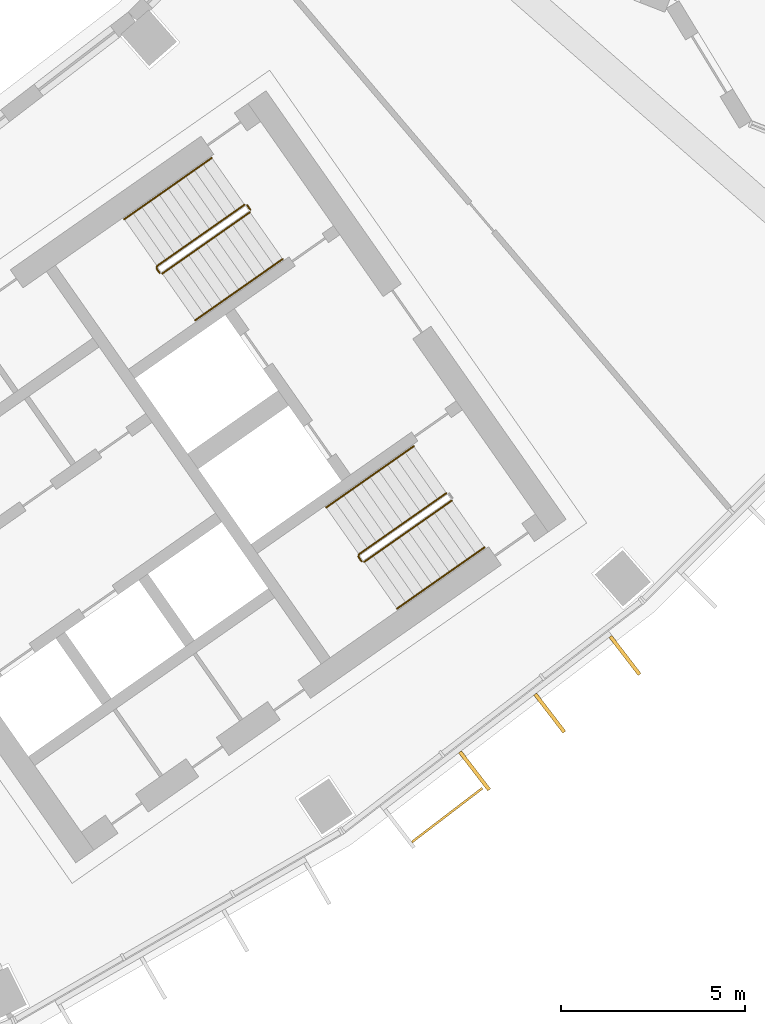
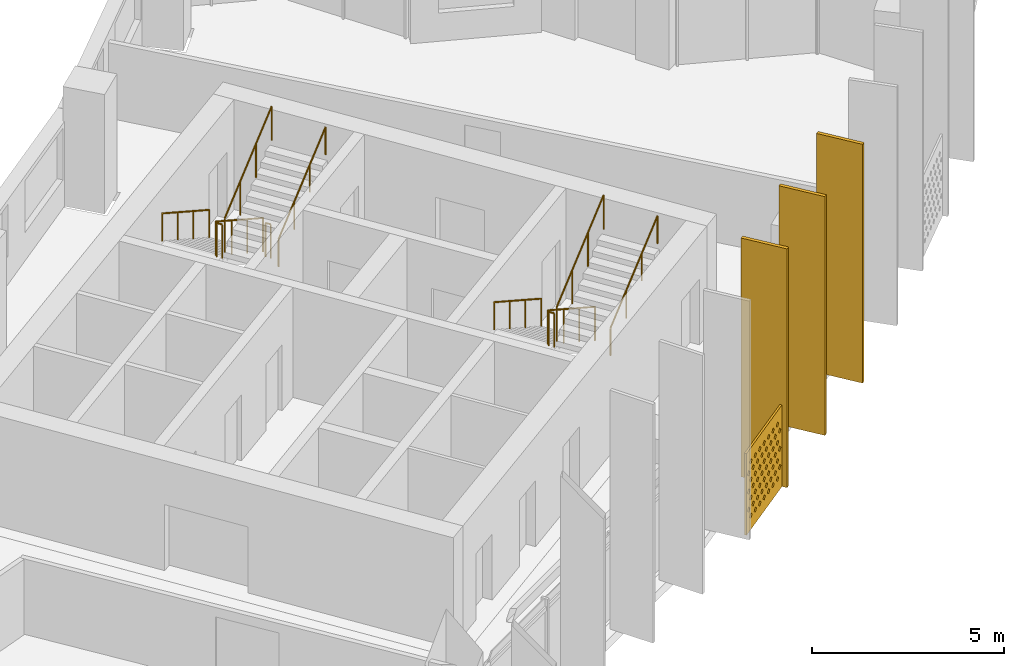
# One storey, part 27 of 30: 9 railings, 4 shading devices.
"""IFC4 building model written with IfcOpenShell, lengths in metres."""

from ifc_helpers import new_model, si_unit, direction, frame, origin, origin_2d, place, context, subcontext, project, spatial, polyline, rectangle, circle, outline, extrude, material, material_profile, profile_set, type_object, element, save


model = new_model("IFC4")

# Units and contexts
model_context = context("Model", 3, precision=1e-05, world=origin(), true_north=direction((0.0, 1.0)))
body_context = subcontext(model_context, "Body", "Model", "MODEL_VIEW")
ifc_project = project(units=[si_unit("LENGTHUNIT", "METRE"), si_unit("AREAUNIT", "SQUARE_METRE"), si_unit("VOLUMEUNIT", "CUBIC_METRE"), si_unit("PLANEANGLEUNIT", "RADIAN"), si_unit("MASSUNIT", "GRAM", prefix="KILO")], contexts=[model_context])

# Site, building, storey
site_placement = place(None, origin())
site = spatial("IfcSite", under=ifc_project, at=site_placement, CompositionType="ELEMENT")
building_placement = place(site_placement, origin())
building = spatial("IfcBuilding", under=site, at=building_placement, Name="Qamariyya Broadcast Tower", CompositionType="ELEMENT")
storey_placement = place(building_placement, frame((0.0, 0.0, 203.699951171875)))
storey = spatial("IfcBuildingStorey", under=building, at=storey_placement, Name="L48", CompositionType="ELEMENT", Elevation=203.699951171875)

# Shading device
ifc_material_1 = material(Name="Perforated glazed terracotta", Category="masonry")
ifc_material_profile_1 = material_profile(ifc_material_1, outline(polyline([(-1.199951171875, -1.300048828125), (1.199951171875, -1.300048828125), (1.199951171875, 1.300048828125), (-1.199951171875, 1.300048828125), (-1.199951171875, -1.300048828125)]), holes=[polyline([(-0.81494140625, -0.86669921875), (-0.89990234375, -0.78173828125), (-0.985107421875, -0.86669921875), (-0.89990234375, -0.95166015625), (-0.81494140625, -0.86669921875)]), polyline([(-0.514892578125, -0.86669921875), (-0.60009765625, -0.78173828125), (-0.68505859375, -0.86669921875), (-0.60009765625, -0.95166015625), (-0.514892578125, -0.86669921875)]), polyline([(-0.215087890625, -0.86669921875), (-0.300048828125, -0.78173828125), (-0.385009765625, -0.86669921875), (-0.300048828125, -0.95166015625), (-0.215087890625, -0.86669921875)]), polyline([(0.0849609375, -0.86669921875), (0.0, -0.78173828125), (-0.0849609375, -0.86669921875), (0.0, -0.95166015625), (0.0849609375, -0.86669921875)]), polyline([(0.385009765625, -0.86669921875), (0.300048828125, -0.78173828125), (0.215087890625, -0.86669921875), (0.300048828125, -0.95166015625), (0.385009765625, -0.86669921875)]), polyline([(0.68505859375, -0.86669921875), (0.60009765625, -0.78173828125), (0.514892578125, -0.86669921875), (0.60009765625, -0.95166015625), (0.68505859375, -0.86669921875)]), polyline([(0.985107421875, -0.86669921875), (0.89990234375, -0.78173828125), (0.81494140625, -0.86669921875), (0.89990234375, -0.95166015625), (0.985107421875, -0.86669921875)]), polyline([(-0.965087890625, -0.577880859375), (-1.050048828125, -0.49267578125), (-1.135009765625, -0.577880859375), (-1.050048828125, -0.662841796875), (-0.965087890625, -0.577880859375)]), polyline([(-0.6650390625, -0.577880859375), (-0.75, -0.49267578125), (-0.8349609375, -0.577880859375), (-0.75, -0.662841796875), (-0.6650390625, -0.577880859375)]), polyline([(-0.364990234375, -0.577880859375), (-0.449951171875, -0.49267578125), (-0.534912109375, -0.577880859375), (-0.449951171875, -0.662841796875), (-0.364990234375, -0.577880859375)]), polyline([(-0.06494140625, -0.577880859375), (-0.14990234375, -0.49267578125), (-0.235107421875, -0.577880859375), (-0.14990234375, -0.662841796875), (-0.06494140625, -0.577880859375)]), polyline([(0.235107421875, -0.577880859375), (0.14990234375, -0.49267578125), (0.06494140625, -0.577880859375), (0.14990234375, -0.662841796875), (0.235107421875, -0.577880859375)]), polyline([(0.534912109375, -0.577880859375), (0.449951171875, -0.49267578125), (0.364990234375, -0.577880859375), (0.449951171875, -0.662841796875), (0.534912109375, -0.577880859375)]), polyline([(0.8349609375, -0.577880859375), (0.75, -0.49267578125), (0.6650390625, -0.577880859375), (0.75, -0.662841796875), (0.8349609375, -0.577880859375)]), polyline([(1.135009765625, -0.577880859375), (1.050048828125, -0.49267578125), (0.965087890625, -0.577880859375), (1.050048828125, -0.662841796875), (1.135009765625, -0.577880859375)]), polyline([(-0.81494140625, -0.288818359375), (-0.89990234375, -0.203857421875), (-0.985107421875, -0.288818359375), (-0.89990234375, -0.373779296875), (-0.81494140625, -0.288818359375)]), polyline([(-0.514892578125, -0.288818359375), (-0.60009765625, -0.203857421875), (-0.68505859375, -0.288818359375), (-0.60009765625, -0.373779296875), (-0.514892578125, -0.288818359375)]), polyline([(-0.215087890625, -0.288818359375), (-0.300048828125, -0.203857421875), (-0.385009765625, -0.288818359375), (-0.300048828125, -0.373779296875), (-0.215087890625, -0.288818359375)]), polyline([(0.0849609375, -0.288818359375), (0.0, -0.203857421875), (-0.0849609375, -0.288818359375), (0.0, -0.373779296875), (0.0849609375, -0.288818359375)]), polyline([(0.385009765625, -0.288818359375), (0.300048828125, -0.203857421875), (0.215087890625, -0.288818359375), (0.300048828125, -0.373779296875), (0.385009765625, -0.288818359375)]), polyline([(0.68505859375, -0.288818359375), (0.60009765625, -0.203857421875), (0.514892578125, -0.288818359375), (0.60009765625, -0.373779296875), (0.68505859375, -0.288818359375)]), polyline([(0.985107421875, -0.288818359375), (0.89990234375, -0.203857421875), (0.81494140625, -0.288818359375), (0.89990234375, -0.373779296875), (0.985107421875, -0.288818359375)]), polyline([(-0.965087890625, 0.0), (-1.050048828125, 0.0849609375), (-1.135009765625, 0.0), (-1.050048828125, -0.0849609375), (-0.965087890625, 0.0)]), polyline([(-0.6650390625, 0.0), (-0.75, 0.0849609375), (-0.8349609375, 0.0), (-0.75, -0.0849609375), (-0.6650390625, 0.0)]), polyline([(-0.364990234375, 0.0), (-0.449951171875, 0.0849609375), (-0.534912109375, 0.0), (-0.449951171875, -0.0849609375), (-0.364990234375, 0.0)]), polyline([(-0.06494140625, 0.0), (-0.14990234375, 0.0849609375), (-0.235107421875, 0.0), (-0.14990234375, -0.0849609375), (-0.06494140625, 0.0)]), polyline([(0.235107421875, 0.0), (0.14990234375, 0.0849609375), (0.06494140625, 0.0), (0.14990234375, -0.0849609375), (0.235107421875, 0.0)]), polyline([(0.534912109375, 0.0), (0.449951171875, 0.0849609375), (0.364990234375, 0.0), (0.449951171875, -0.0849609375), (0.534912109375, 0.0)]), polyline([(0.8349609375, 0.0), (0.75, 0.0849609375), (0.6650390625, 0.0), (0.75, -0.0849609375), (0.8349609375, 0.0)]), polyline([(1.135009765625, 0.0), (1.050048828125, 0.0849609375), (0.965087890625, 0.0), (1.050048828125, -0.0849609375), (1.135009765625, 0.0)]), polyline([(-0.81494140625, 0.288818359375), (-0.89990234375, 0.373779296875), (-0.985107421875, 0.288818359375), (-0.89990234375, 0.203857421875), (-0.81494140625, 0.288818359375)]), polyline([(-0.514892578125, 0.288818359375), (-0.60009765625, 0.373779296875), (-0.68505859375, 0.288818359375), (-0.60009765625, 0.203857421875), (-0.514892578125, 0.288818359375)]), polyline([(-0.215087890625, 0.288818359375), (-0.300048828125, 0.373779296875), (-0.385009765625, 0.288818359375), (-0.300048828125, 0.203857421875), (-0.215087890625, 0.288818359375)]), polyline([(0.0849609375, 0.288818359375), (0.0, 0.373779296875), (-0.0849609375, 0.288818359375), (0.0, 0.203857421875), (0.0849609375, 0.288818359375)]), polyline([(0.385009765625, 0.288818359375), (0.300048828125, 0.373779296875), (0.215087890625, 0.288818359375), (0.300048828125, 0.203857421875), (0.385009765625, 0.288818359375)]), polyline([(0.68505859375, 0.288818359375), (0.60009765625, 0.373779296875), (0.514892578125, 0.288818359375), (0.60009765625, 0.203857421875), (0.68505859375, 0.288818359375)]), polyline([(0.985107421875, 0.288818359375), (0.89990234375, 0.373779296875), (0.81494140625, 0.288818359375), (0.89990234375, 0.203857421875), (0.985107421875, 0.288818359375)]), polyline([(-0.965087890625, 0.577880859375), (-1.050048828125, 0.662841796875), (-1.135009765625, 0.577880859375), (-1.050048828125, 0.49267578125), (-0.965087890625, 0.577880859375)]), polyline([(-0.6650390625, 0.577880859375), (-0.75, 0.662841796875), (-0.8349609375, 0.577880859375), (-0.75, 0.49267578125), (-0.6650390625, 0.577880859375)]), polyline([(-0.364990234375, 0.577880859375), (-0.449951171875, 0.662841796875), (-0.534912109375, 0.577880859375), (-0.449951171875, 0.49267578125), (-0.364990234375, 0.577880859375)]), polyline([(-0.06494140625, 0.577880859375), (-0.14990234375, 0.662841796875), (-0.235107421875, 0.577880859375), (-0.14990234375, 0.49267578125), (-0.06494140625, 0.577880859375)]), polyline([(0.235107421875, 0.577880859375), (0.14990234375, 0.662841796875), (0.06494140625, 0.577880859375), (0.14990234375, 0.49267578125), (0.235107421875, 0.577880859375)]), polyline([(0.534912109375, 0.577880859375), (0.449951171875, 0.662841796875), (0.364990234375, 0.577880859375), (0.449951171875, 0.49267578125), (0.534912109375, 0.577880859375)]), polyline([(0.8349609375, 0.577880859375), (0.75, 0.662841796875), (0.6650390625, 0.577880859375), (0.75, 0.49267578125), (0.8349609375, 0.577880859375)]), polyline([(1.135009765625, 0.577880859375), (1.050048828125, 0.662841796875), (0.965087890625, 0.577880859375), (1.050048828125, 0.49267578125), (1.135009765625, 0.577880859375)]), polyline([(-0.81494140625, 0.86669921875), (-0.89990234375, 0.95166015625), (-0.985107421875, 0.86669921875), (-0.89990234375, 0.78173828125), (-0.81494140625, 0.86669921875)]), polyline([(-0.514892578125, 0.86669921875), (-0.60009765625, 0.95166015625), (-0.68505859375, 0.86669921875), (-0.60009765625, 0.78173828125), (-0.514892578125, 0.86669921875)]), polyline([(-0.215087890625, 0.86669921875), (-0.300048828125, 0.95166015625), (-0.385009765625, 0.86669921875), (-0.300048828125, 0.78173828125), (-0.215087890625, 0.86669921875)]), polyline([(0.0849609375, 0.86669921875), (0.0, 0.95166015625), (-0.0849609375, 0.86669921875), (0.0, 0.78173828125), (0.0849609375, 0.86669921875)]), polyline([(0.385009765625, 0.86669921875), (0.300048828125, 0.95166015625), (0.215087890625, 0.86669921875), (0.300048828125, 0.78173828125), (0.385009765625, 0.86669921875)]), polyline([(0.68505859375, 0.86669921875), (0.60009765625, 0.95166015625), (0.514892578125, 0.86669921875), (0.60009765625, 0.78173828125), (0.68505859375, 0.86669921875)]), polyline([(0.985107421875, 0.86669921875), (0.89990234375, 0.95166015625), (0.81494140625, 0.86669921875), (0.89990234375, 0.78173828125), (0.985107421875, 0.86669921875)])]))
ifc_profile_set_1 = profile_set([ifc_material_profile_1], Name="Perforated glazed terracotta")
shading_device_type_1 = type_object("IfcShadingDeviceType", Name="Perforated terracotta screen 2400 x 2600", PredefinedType="USERDEFINED", material=ifc_profile_set_1)
shading_device_placement = place(storey_placement, frame((46.480712890625, -64.85888671875, 1.35009765625), z_axis=(0.607147566278, -0.794589096806, 0.0), x_axis=(0.794589096806, 0.607147566278, 0.0)))
element("IfcShadingDevice", 1, at=shading_device_placement, inside=storey, type_object=shading_device_type_1, Name="e-scr-L48-13-0", ObjectType="SCREEN", PredefinedType="USERDEFINED", context=body_context, shape_type="SweptSolid", body=[
    extrude(outline(polyline([(-1.199951171875, -1.300048828125), (1.199951171875, -1.300048828125), (1.199951171875, 1.300048828125), (-1.199951171875, 1.300048828125), (-1.199951171875, -1.300048828125)]), holes=[polyline([(-0.81494140625, -0.86669921875), (-0.89990234375, -0.78173828125), (-0.985107421875, -0.86669921875), (-0.89990234375, -0.95166015625), (-0.81494140625, -0.86669921875)]), polyline([(-0.514892578125, -0.86669921875), (-0.60009765625, -0.78173828125), (-0.68505859375, -0.86669921875), (-0.60009765625, -0.95166015625), (-0.514892578125, -0.86669921875)]), polyline([(-0.215087890625, -0.86669921875), (-0.300048828125, -0.78173828125), (-0.385009765625, -0.86669921875), (-0.300048828125, -0.95166015625), (-0.215087890625, -0.86669921875)]), polyline([(0.0849609375, -0.86669921875), (0.0, -0.78173828125), (-0.0849609375, -0.86669921875), (0.0, -0.95166015625), (0.0849609375, -0.86669921875)]), polyline([(0.385009765625, -0.86669921875), (0.300048828125, -0.78173828125), (0.215087890625, -0.86669921875), (0.300048828125, -0.95166015625), (0.385009765625, -0.86669921875)]), polyline([(0.68505859375, -0.86669921875), (0.60009765625, -0.78173828125), (0.514892578125, -0.86669921875), (0.60009765625, -0.95166015625), (0.68505859375, -0.86669921875)]), polyline([(0.985107421875, -0.86669921875), (0.89990234375, -0.78173828125), (0.81494140625, -0.86669921875), (0.89990234375, -0.95166015625), (0.985107421875, -0.86669921875)]), polyline([(-0.965087890625, -0.577880859375), (-1.050048828125, -0.49267578125), (-1.135009765625, -0.577880859375), (-1.050048828125, -0.662841796875), (-0.965087890625, -0.577880859375)]), polyline([(-0.6650390625, -0.577880859375), (-0.75, -0.49267578125), (-0.8349609375, -0.577880859375), (-0.75, -0.662841796875), (-0.6650390625, -0.577880859375)]), polyline([(-0.364990234375, -0.577880859375), (-0.449951171875, -0.49267578125), (-0.534912109375, -0.577880859375), (-0.449951171875, -0.662841796875), (-0.364990234375, -0.577880859375)]), polyline([(-0.06494140625, -0.577880859375), (-0.14990234375, -0.49267578125), (-0.235107421875, -0.577880859375), (-0.14990234375, -0.662841796875), (-0.06494140625, -0.577880859375)]), polyline([(0.235107421875, -0.577880859375), (0.14990234375, -0.49267578125), (0.06494140625, -0.577880859375), (0.14990234375, -0.662841796875), (0.235107421875, -0.577880859375)]), polyline([(0.534912109375, -0.577880859375), (0.449951171875, -0.49267578125), (0.364990234375, -0.577880859375), (0.449951171875, -0.662841796875), (0.534912109375, -0.577880859375)]), polyline([(0.8349609375, -0.577880859375), (0.75, -0.49267578125), (0.6650390625, -0.577880859375), (0.75, -0.662841796875), (0.8349609375, -0.577880859375)]), polyline([(1.135009765625, -0.577880859375), (1.050048828125, -0.49267578125), (0.965087890625, -0.577880859375), (1.050048828125, -0.662841796875), (1.135009765625, -0.577880859375)]), polyline([(-0.81494140625, -0.288818359375), (-0.89990234375, -0.203857421875), (-0.985107421875, -0.288818359375), (-0.89990234375, -0.373779296875), (-0.81494140625, -0.288818359375)]), polyline([(-0.514892578125, -0.288818359375), (-0.60009765625, -0.203857421875), (-0.68505859375, -0.288818359375), (-0.60009765625, -0.373779296875), (-0.514892578125, -0.288818359375)]), polyline([(-0.215087890625, -0.288818359375), (-0.300048828125, -0.203857421875), (-0.385009765625, -0.288818359375), (-0.300048828125, -0.373779296875), (-0.215087890625, -0.288818359375)]), polyline([(0.0849609375, -0.288818359375), (0.0, -0.203857421875), (-0.0849609375, -0.288818359375), (0.0, -0.373779296875), (0.0849609375, -0.288818359375)]), polyline([(0.385009765625, -0.288818359375), (0.300048828125, -0.203857421875), (0.215087890625, -0.288818359375), (0.300048828125, -0.373779296875), (0.385009765625, -0.288818359375)]), polyline([(0.68505859375, -0.288818359375), (0.60009765625, -0.203857421875), (0.514892578125, -0.288818359375), (0.60009765625, -0.373779296875), (0.68505859375, -0.288818359375)]), polyline([(0.985107421875, -0.288818359375), (0.89990234375, -0.203857421875), (0.81494140625, -0.288818359375), (0.89990234375, -0.373779296875), (0.985107421875, -0.288818359375)]), polyline([(-0.965087890625, 0.0), (-1.050048828125, 0.0849609375), (-1.135009765625, 0.0), (-1.050048828125, -0.0849609375), (-0.965087890625, 0.0)]), polyline([(-0.6650390625, 0.0), (-0.75, 0.0849609375), (-0.8349609375, 0.0), (-0.75, -0.0849609375), (-0.6650390625, 0.0)]), polyline([(-0.364990234375, 0.0), (-0.449951171875, 0.0849609375), (-0.534912109375, 0.0), (-0.449951171875, -0.0849609375), (-0.364990234375, 0.0)]), polyline([(-0.06494140625, 0.0), (-0.14990234375, 0.0849609375), (-0.235107421875, 0.0), (-0.14990234375, -0.0849609375), (-0.06494140625, 0.0)]), polyline([(0.235107421875, 0.0), (0.14990234375, 0.0849609375), (0.06494140625, 0.0), (0.14990234375, -0.0849609375), (0.235107421875, 0.0)]), polyline([(0.534912109375, 0.0), (0.449951171875, 0.0849609375), (0.364990234375, 0.0), (0.449951171875, -0.0849609375), (0.534912109375, 0.0)]), polyline([(0.8349609375, 0.0), (0.75, 0.0849609375), (0.6650390625, 0.0), (0.75, -0.0849609375), (0.8349609375, 0.0)]), polyline([(1.135009765625, 0.0), (1.050048828125, 0.0849609375), (0.965087890625, 0.0), (1.050048828125, -0.0849609375), (1.135009765625, 0.0)]), polyline([(-0.81494140625, 0.288818359375), (-0.89990234375, 0.373779296875), (-0.985107421875, 0.288818359375), (-0.89990234375, 0.203857421875), (-0.81494140625, 0.288818359375)]), polyline([(-0.514892578125, 0.288818359375), (-0.60009765625, 0.373779296875), (-0.68505859375, 0.288818359375), (-0.60009765625, 0.203857421875), (-0.514892578125, 0.288818359375)]), polyline([(-0.215087890625, 0.288818359375), (-0.300048828125, 0.373779296875), (-0.385009765625, 0.288818359375), (-0.300048828125, 0.203857421875), (-0.215087890625, 0.288818359375)]), polyline([(0.0849609375, 0.288818359375), (0.0, 0.373779296875), (-0.0849609375, 0.288818359375), (0.0, 0.203857421875), (0.0849609375, 0.288818359375)]), polyline([(0.385009765625, 0.288818359375), (0.300048828125, 0.373779296875), (0.215087890625, 0.288818359375), (0.300048828125, 0.203857421875), (0.385009765625, 0.288818359375)]), polyline([(0.68505859375, 0.288818359375), (0.60009765625, 0.373779296875), (0.514892578125, 0.288818359375), (0.60009765625, 0.203857421875), (0.68505859375, 0.288818359375)]), polyline([(0.985107421875, 0.288818359375), (0.89990234375, 0.373779296875), (0.81494140625, 0.288818359375), (0.89990234375, 0.203857421875), (0.985107421875, 0.288818359375)]), polyline([(-0.965087890625, 0.577880859375), (-1.050048828125, 0.662841796875), (-1.135009765625, 0.577880859375), (-1.050048828125, 0.49267578125), (-0.965087890625, 0.577880859375)]), polyline([(-0.6650390625, 0.577880859375), (-0.75, 0.662841796875), (-0.8349609375, 0.577880859375), (-0.75, 0.49267578125), (-0.6650390625, 0.577880859375)]), polyline([(-0.364990234375, 0.577880859375), (-0.449951171875, 0.662841796875), (-0.534912109375, 0.577880859375), (-0.449951171875, 0.49267578125), (-0.364990234375, 0.577880859375)]), polyline([(-0.06494140625, 0.577880859375), (-0.14990234375, 0.662841796875), (-0.235107421875, 0.577880859375), (-0.14990234375, 0.49267578125), (-0.06494140625, 0.577880859375)]), polyline([(0.235107421875, 0.577880859375), (0.14990234375, 0.662841796875), (0.06494140625, 0.577880859375), (0.14990234375, 0.49267578125), (0.235107421875, 0.577880859375)]), polyline([(0.534912109375, 0.577880859375), (0.449951171875, 0.662841796875), (0.364990234375, 0.577880859375), (0.449951171875, 0.49267578125), (0.534912109375, 0.577880859375)]), polyline([(0.8349609375, 0.577880859375), (0.75, 0.662841796875), (0.6650390625, 0.577880859375), (0.75, 0.49267578125), (0.8349609375, 0.577880859375)]), polyline([(1.135009765625, 0.577880859375), (1.050048828125, 0.662841796875), (0.965087890625, 0.577880859375), (1.050048828125, 0.49267578125), (1.135009765625, 0.577880859375)]), polyline([(-0.81494140625, 0.86669921875), (-0.89990234375, 0.95166015625), (-0.985107421875, 0.86669921875), (-0.89990234375, 0.78173828125), (-0.81494140625, 0.86669921875)]), polyline([(-0.514892578125, 0.86669921875), (-0.60009765625, 0.95166015625), (-0.68505859375, 0.86669921875), (-0.60009765625, 0.78173828125), (-0.514892578125, 0.86669921875)]), polyline([(-0.215087890625, 0.86669921875), (-0.300048828125, 0.95166015625), (-0.385009765625, 0.86669921875), (-0.300048828125, 0.78173828125), (-0.215087890625, 0.86669921875)]), polyline([(0.0849609375, 0.86669921875), (0.0, 0.95166015625), (-0.0849609375, 0.86669921875), (0.0, 0.78173828125), (0.0849609375, 0.86669921875)]), polyline([(0.385009765625, 0.86669921875), (0.300048828125, 0.95166015625), (0.215087890625, 0.86669921875), (0.300048828125, 0.78173828125), (0.385009765625, 0.86669921875)]), polyline([(0.68505859375, 0.86669921875), (0.60009765625, 0.95166015625), (0.514892578125, 0.86669921875), (0.60009765625, 0.78173828125), (0.68505859375, 0.86669921875)]), polyline([(0.985107421875, 0.86669921875), (0.89990234375, 0.95166015625), (0.81494140625, 0.86669921875), (0.89990234375, 0.78173828125), (0.985107421875, 0.86669921875)])]), origin(), (0.0, 0.0, 1.0), 0.059814453125),
])

# Railings
ifc_material_2 = material(Name="Painted steel", Category="steel")
railing_type_1 = type_object("IfcRailingType", Name="Stair guard", PredefinedType="GUARDRAIL", material=ifc_material_2)
railing_1_placement = place(storey_placement, frame((41.003173828125, -48.320068359375, 0.1728515625)))
element("IfcRailing", 2, at=railing_1_placement, inside=storey, type_object=railing_type_1, Name="L48 ST-E2 stair guard 1", PredefinedType="GUARDRAIL", context=body_context, shape_type="SweptSolid", body=[
    extrude(circle(Radius=0.02392578125, at=origin_2d()), frame((0.0, 0.0, 1.076171875), z_axis=(-0.703770094002, -0.492783725636, 0.511734163933), x_axis=(0.573575343427, -0.819152809562, 0.0)), (0.0, 0.0, 1.0), 3.37548828125),
    extrude(circle(Radius=0.02392578125, at=origin_2d()), frame((-2.37548828125, -1.663330078125, 2.80322265625), z_axis=(-0.172799478008, -0.984957024646, 0.0), x_axis=(0.984957024646, -0.172799478008, 0.0)), (0.0, 0.0, 1.0), 0.070556640625),
    extrude(circle(Radius=0.02392578125, at=origin_2d()), frame((-2.3876953125, -1.73291015625, 2.80322265625), z_axis=(0.572588637393, -0.819842821722, 0.0), x_axis=(0.819842821722, 0.572588637393, 0.0)), (0.0, 0.0, 1.0), 0.150146484375),
    extrude(circle(Radius=0.02099609375, at=origin_2d()), origin(), (0.0, 0.0, 1.0), 1.052001953125),
    extrude(circle(Radius=0.02099609375, at=origin_2d()), frame((-0.791748046875, -0.554443359375, 0.57568359375)), (0.0, 0.0, 1.0), 1.052001953125),
    extrude(circle(Radius=0.02099609375, at=origin_2d()), frame((-1.583740234375, -1.10888671875, 1.151611328125)), (0.0, 0.0, 1.0), 1.052001953125),
    extrude(circle(Radius=0.02099609375, at=origin_2d()), frame((-2.37548828125, -1.663330078125, 1.727294921875)), (0.0, 0.0, 1.0), 1.052001953125),
    extrude(circle(Radius=0.02099609375, at=origin_2d()), frame((-2.3876953125, -1.73291015625, 1.727294921875)), (0.0, 0.0, 1.0), 1.052001953125),
    extrude(circle(Radius=0.02099609375, at=origin_2d()), frame((-2.3017578125, -1.85595703125, 1.727294921875)), (0.0, 0.0, 1.0), 1.052001953125),
])
railing_2_placement = place(storey_placement, frame((38.771240234375, -50.188232421875, 2.07275390625)))
element("IfcRailing", 3, at=railing_2_placement, inside=storey, type_object=railing_type_1, Name="L48 ST-E2 stair guard 2", PredefinedType="GUARDRAIL", context=body_context, shape_type="SweptSolid", body=[
    extrude(circle(Radius=0.02392578125, at=origin_2d()), frame((0.0, 0.0, 1.076171875), z_axis=(0.703770094002, 0.492783725636, 0.511734163933), x_axis=(-0.573575343427, 0.819152809562, 0.0)), (0.0, 0.0, 1.0), 3.37548828125),
    extrude(circle(Radius=0.02099609375, at=origin_2d()), origin(), (0.0, 0.0, 1.0), 1.052001953125),
    extrude(circle(Radius=0.02099609375, at=origin_2d()), frame((0.791748046875, 0.554443359375, 0.57568359375)), (0.0, 0.0, 1.0), 1.052001953125),
    extrude(circle(Radius=0.02099609375, at=origin_2d()), frame((1.583740234375, 1.10888671875, 1.151611328125)), (0.0, 0.0, 1.0), 1.052001953125),
    extrude(circle(Radius=0.02099609375, at=origin_2d()), frame((2.37548828125, 1.663330078125, 1.727294921875)), (0.0, 0.0, 1.0), 1.052001953125),
])
railing_3_placement = place(storey_placement, frame((41.072998046875, -48.332275390625, 0.0)))
element("IfcRailing", 4, at=railing_3_placement, inside=storey, type_object=railing_type_1, Name="L48 ST-E2 stair guard 3", PredefinedType="GUARDRAIL", context=body_context, shape_type="SweptSolid", body=[
    extrude(circle(Radius=0.02392578125, at=origin_2d()), frame((0.0, 0.0, 1.076171875), z_axis=(0.572588637393, -0.819842821722, 0.0), x_axis=(0.819842821722, 0.572588637393, 0.0)), (0.0, 0.0, 1.0), 0.150146484375),
    extrude(circle(Radius=0.02099609375, at=origin_2d()), origin(), (0.0, 0.0, 1.0), 1.052001953125),
    extrude(circle(Radius=0.02099609375, at=origin_2d()), frame((0.0859375, -0.123046875, 0.0)), (0.0, 0.0, 1.0), 1.052001953125),
])
railing_4_placement = place(storey_placement, frame((46.48095703125, -56.14306640625, 0.1728515625)))
element("IfcRailing", 5, at=railing_4_placement, inside=storey, type_object=railing_type_1, Name="L48 ST-E1 stair guard 1", PredefinedType="GUARDRAIL", context=body_context, shape_type="SweptSolid", body=[
    extrude(circle(Radius=0.02392578125, at=origin_2d()), frame((0.0, 0.0, 1.076171875), z_axis=(-0.703770094002, -0.492783725636, 0.511734163933), x_axis=(0.573575343427, -0.819152809562, 0.0)), (0.0, 0.0, 1.0), 3.37548828125),
    extrude(circle(Radius=0.02392578125, at=origin_2d()), frame((-2.37548828125, -1.663330078125, 2.80322265625), z_axis=(-0.176149252506, -0.984363469884, 0.0), x_axis=(0.984363469884, -0.176149252506, 0.0)), (0.0, 0.0, 1.0), 0.07080078125),
    extrude(circle(Radius=0.02392578125, at=origin_2d()), frame((-2.387939453125, -1.73291015625, 2.80322265625), z_axis=(0.574444878118, -0.818543268254, 0.0), x_axis=(0.818543268254, 0.574444878118, 0.0)), (0.0, 0.0, 1.0), 0.150146484375),
    extrude(circle(Radius=0.02099609375, at=origin_2d()), origin(), (0.0, 0.0, 1.0), 1.052001953125),
    extrude(circle(Radius=0.02099609375, at=origin_2d()), frame((-0.791748046875, -0.554443359375, 0.57568359375)), (0.0, 0.0, 1.0), 1.052001953125),
    extrude(circle(Radius=0.02099609375, at=origin_2d()), frame((-1.583740234375, -1.10888671875, 1.151611328125)), (0.0, 0.0, 1.0), 1.052001953125),
    extrude(circle(Radius=0.02099609375, at=origin_2d()), frame((-2.37548828125, -1.663330078125, 1.727294921875)), (0.0, 0.0, 1.0), 1.052001953125),
    extrude(circle(Radius=0.02099609375, at=origin_2d()), frame((-2.387939453125, -1.73291015625, 1.727294921875)), (0.0, 0.0, 1.0), 1.052001953125),
    extrude(circle(Radius=0.02099609375, at=origin_2d()), frame((-2.3017578125, -1.855712890625, 1.727294921875)), (0.0, 0.0, 1.0), 1.052001953125),
])
railing_5_placement = place(storey_placement, frame((44.248779296875, -58.01123046875, 2.07275390625)))
element("IfcRailing", 6, at=railing_5_placement, inside=storey, type_object=railing_type_1, Name="L48 ST-E1 stair guard 2", PredefinedType="GUARDRAIL", context=body_context, shape_type="SweptSolid", body=[
    extrude(circle(Radius=0.02392578125, at=origin_2d()), frame((0.0, 0.0, 1.076171875), z_axis=(0.703745009021, 0.492838488332, 0.511715923826), x_axis=(-0.573631830683, 0.819113253969, 0.0)), (0.0, 0.0, 1.0), 3.37548828125),
    extrude(circle(Radius=0.02099609375, at=origin_2d()), origin(), (0.0, 0.0, 1.0), 1.052001953125),
    extrude(circle(Radius=0.02099609375, at=origin_2d()), frame((0.791748046875, 0.554443359375, 0.57568359375)), (0.0, 0.0, 1.0), 1.052001953125),
    extrude(circle(Radius=0.02099609375, at=origin_2d()), frame((1.583740234375, 1.109130859375, 1.151611328125)), (0.0, 0.0, 1.0), 1.052001953125),
    extrude(circle(Radius=0.02099609375, at=origin_2d()), frame((2.37548828125, 1.66357421875, 1.727294921875)), (0.0, 0.0, 1.0), 1.052001953125),
])
ifc_material_3 = material(Name="Stainless steel", Category="steel")
railing_type_2 = type_object("IfcRailingType", Name="Stair handrail", PredefinedType="HANDRAIL", material=ifc_material_3)
railing_6_placement = place(storey_placement, frame((40.1142578125, -47.05029296875, 0.1728515625)))
element("IfcRailing", 7, at=railing_6_placement, inside=storey, type_object=railing_type_2, Name="L48 ST-E2 stair handrail 1", PredefinedType="HANDRAIL", context=body_context, shape_type="SweptSolid", body=[
    extrude(circle(Radius=0.02392578125, at=origin_2d()), frame((0.0, 0.0, 0.8759765625), z_axis=(-0.703745009021, -0.492838488332, 0.511715923826), x_axis=(0.573631830683, -0.819113253969, 0.0)), (0.0, 0.0, 1.0), 3.37548828125),
    extrude(circle(Radius=0.02099609375, at=origin_2d()), origin(), (0.0, 0.0, 1.0), 0.851806640625),
    extrude(circle(Radius=0.02099609375, at=origin_2d()), frame((-0.791748046875, -0.554443359375, 0.57568359375)), (0.0, 0.0, 1.0), 0.851806640625),
    extrude(circle(Radius=0.02099609375, at=origin_2d()), frame((-1.583740234375, -1.109130859375, 1.151611328125)), (0.0, 0.0, 1.0), 0.851806640625),
    extrude(circle(Radius=0.02099609375, at=origin_2d()), frame((-2.37548828125, -1.66357421875, 1.727294921875)), (0.0, 0.0, 1.0), 0.851806640625),
])
railing_7_placement = place(storey_placement, frame((39.66015625, -51.4580078125, 2.07275390625)))
element("IfcRailing", 8, at=railing_7_placement, inside=storey, type_object=railing_type_2, Name="L48 ST-E2 stair handrail 2", PredefinedType="HANDRAIL", context=body_context, shape_type="SweptSolid", body=[
    extrude(circle(Radius=0.02392578125, at=origin_2d()), frame((0.0, 0.0, 0.8759765625), z_axis=(0.703745009021, 0.492838488332, 0.511715923826), x_axis=(-0.573631830683, 0.819113253969, 0.0)), (0.0, 0.0, 1.0), 3.37548828125),
    extrude(circle(Radius=0.02099609375, at=origin_2d()), origin(), (0.0, 0.0, 1.0), 0.851806640625),
    extrude(circle(Radius=0.02099609375, at=origin_2d()), frame((0.791748046875, 0.554443359375, 0.57568359375)), (0.0, 0.0, 1.0), 0.851806640625),
    extrude(circle(Radius=0.02099609375, at=origin_2d()), frame((1.583740234375, 1.109130859375, 1.151611328125)), (0.0, 0.0, 1.0), 0.851806640625),
    extrude(circle(Radius=0.02099609375, at=origin_2d()), frame((2.37548828125, 1.66357421875, 1.727294921875)), (0.0, 0.0, 1.0), 0.851806640625),
])
railing_8_placement = place(storey_placement, frame((45.591796875, -54.873291015625, 0.1728515625)))
element("IfcRailing", 9, at=railing_8_placement, inside=storey, type_object=railing_type_2, Name="L48 ST-E1 stair handrail 1", PredefinedType="HANDRAIL", context=body_context, shape_type="SweptSolid", body=[
    extrude(circle(Radius=0.02392578125, at=origin_2d()), frame((0.0, 0.0, 0.8759765625), z_axis=(-0.703770094002, -0.492783725636, 0.511734163933), x_axis=(0.573575343427, -0.819152809562, 0.0)), (0.0, 0.0, 1.0), 3.37548828125),
    extrude(circle(Radius=0.02099609375, at=origin_2d()), origin(), (0.0, 0.0, 1.0), 0.851806640625),
    extrude(circle(Radius=0.02099609375, at=origin_2d()), frame((-0.791748046875, -0.554443359375, 0.57568359375)), (0.0, 0.0, 1.0), 0.851806640625),
    extrude(circle(Radius=0.02099609375, at=origin_2d()), frame((-1.583740234375, -1.10888671875, 1.151611328125)), (0.0, 0.0, 1.0), 0.851806640625),
    extrude(circle(Radius=0.02099609375, at=origin_2d()), frame((-2.37548828125, -1.663330078125, 1.727294921875)), (0.0, 0.0, 1.0), 0.851806640625),
])
railing_9_placement = place(storey_placement, frame((45.137939453125, -59.28076171875, 2.07275390625)))
element("IfcRailing", 10, at=railing_9_placement, inside=storey, type_object=railing_type_2, Name="L48 ST-E1 stair handrail 2", PredefinedType="HANDRAIL", context=body_context, shape_type="SweptSolid", body=[
    extrude(circle(Radius=0.02392578125, at=origin_2d()), frame((0.0, 0.0, 0.8759765625), z_axis=(0.703770094002, 0.492783725636, 0.511734163933), x_axis=(-0.573575343427, 0.819152809562, 0.0)), (0.0, 0.0, 1.0), 3.37548828125),
    extrude(circle(Radius=0.02099609375, at=origin_2d()), origin(), (0.0, 0.0, 1.0), 0.851806640625),
    extrude(circle(Radius=0.02099609375, at=origin_2d()), frame((0.791748046875, 0.554443359375, 0.57568359375)), (0.0, 0.0, 1.0), 0.851806640625),
    extrude(circle(Radius=0.02099609375, at=origin_2d()), frame((1.583740234375, 1.10888671875, 1.151611328125)), (0.0, 0.0, 1.0), 0.851806640625),
    extrude(circle(Radius=0.02099609375, at=origin_2d()), frame((2.37548828125, 1.663330078125, 1.727294921875)), (0.0, 0.0, 1.0), 0.851806640625),
])

# Shading devices
ifc_material_4 = material(Name="Glazed terracotta", Category="masonry")
ifc_material_profile_2 = material_profile(ifc_material_4, rectangle(XDim=1.300048828125, YDim=0.10009765625, at=origin_2d()))
ifc_profile_set_2 = profile_set([ifc_material_profile_2], Name="Glazed terracotta")
shading_device_type_2 = type_object("IfcShadingDeviceType", Name="Terracotta fin 100 x 1300", PredefinedType="USERDEFINED", material=ifc_profile_set_2)
for number, where, z_axis, x_axis, name in (
    (11, (47.243408203125, -63.68115234375, 0.0), (0.0, 0.0, 1.0), (0.608761429009, -0.793353340291, 0.0), "e-fin-L48-13-1"),
    (12, (49.283935546875, -62.115478515625, 0.0), (0.0, 0.0, 1.0), (0.608761429009, -0.793353340291, 0.0), "e-fin-L48-13-2"),
    (13, (51.32421875, -60.5498046875, 0.0), (0.0, 0.0, 1.0), (0.608761429009, -0.793353340291, 0.0), "e-fin-L48-13-3"),
):
    element("IfcShadingDevice", number, at=place(storey_placement, frame(where, z_axis=z_axis, x_axis=x_axis)), inside=storey, type_object=shading_device_type_2, Name=name, ObjectType="FIN", PredefinedType="USERDEFINED", context=body_context, shape_type="SweptSolid", body=[
        extrude(rectangle(XDim=1.300048828125, YDim=0.10009765625, at=origin_2d()), origin(), (0.0, 0.0, 1.0), 7.60009765625),
    ])

save(model, "model.ifc")
